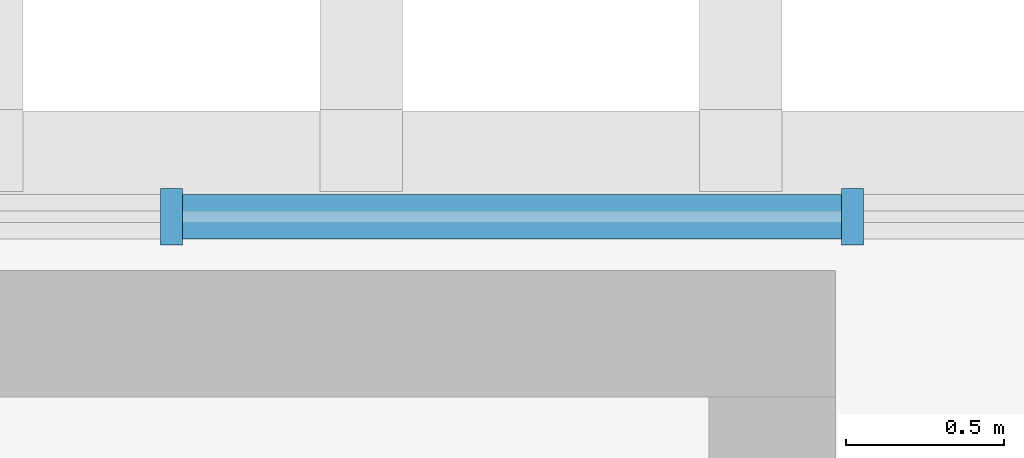
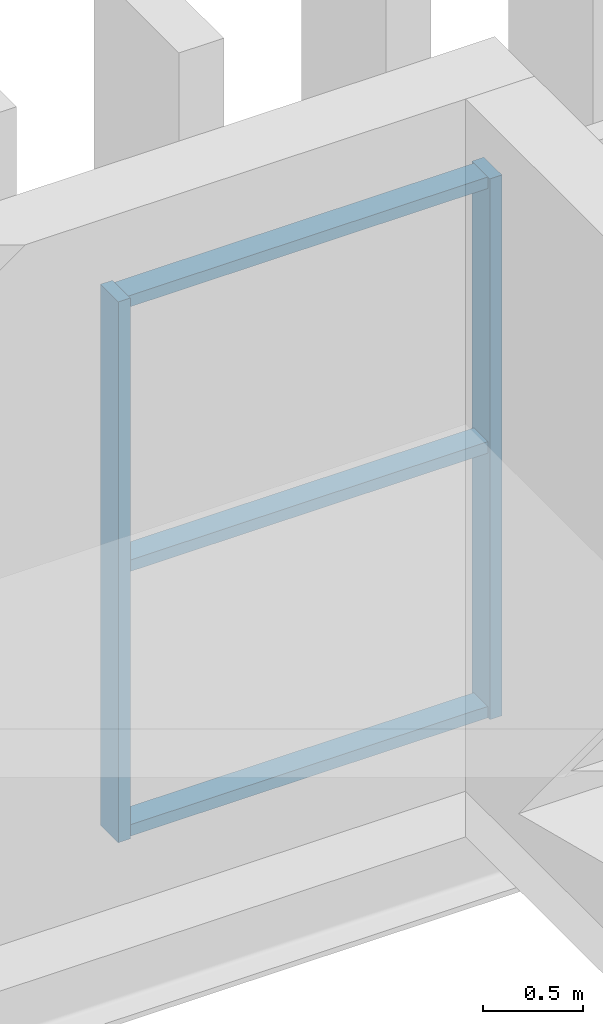
# One storey, part 16 of 75: 5 members, 1 element without a shape of its own.
"""IFC4 building model written with IfcOpenShell, lengths in metres."""

from ifc_helpers import new_model, si_unit, direction, frame, origin, origin_2d, place, context, subcontext, project, spatial, rectangle, extrude, material, layer, layer_set, material_profile, profile_set, type_object, element, aggregate, save


model = new_model("IFC4")

# Units and contexts
model_context = context("Model", 3, precision=1e-05, world=origin(), true_north=direction((0.0, 1.0)))
body_context = subcontext(model_context, "Body", "Model", "MODEL_VIEW")
ifc_project = project(units=[si_unit("LENGTHUNIT", "METRE"), si_unit("AREAUNIT", "SQUARE_METRE"), si_unit("VOLUMEUNIT", "CUBIC_METRE"), si_unit("PLANEANGLEUNIT", "RADIAN"), si_unit("MASSUNIT", "GRAM", prefix="KILO")], contexts=[model_context])

# Site, building, storey
site_placement = place(None, origin())
site = spatial("IfcSite", under=ifc_project, at=site_placement, CompositionType="ELEMENT")
building_placement = place(site_placement, origin())
building = spatial("IfcBuilding", under=site, at=building_placement, Name="Caelomonte Colonnade Arena", CompositionType="ELEMENT")
storey_placement = place(building_placement, frame((0.0, 0.0, 14.10009765625)))
storey = spatial("IfcBuildingStorey", under=building, at=storey_placement, Name="L03", CompositionType="ELEMENT", Elevation=14.10009765625)

# Curtain wall, members
ifc_material_1 = material(Name="Bronze anodised aluminium and low-E glazing", Category="aluminium")
ifc_layer = layer(ifc_material_1, 0.179931640625)
ifc_layer_set = layer_set([ifc_layer], Name="Bronze anodised aluminium and low-E glazing")
curtain_wall_type = type_object("IfcCurtainWallType", Name="ENV-CW-CW-L03-96-33", PredefinedType="USERDEFINED", material=ifc_layer_set)
curtain_wall_placement = place(storey_placement, origin())
curtain_wall = element("IfcCurtainWall", 1, at=curtain_wall_placement, inside=storey, type_object=curtain_wall_type, Name="L03 unitized curtain wall CW-L03-1296-1150", ObjectType="UNITIZED CURTAIN WALL", PredefinedType="USERDEFINED")
ifc_material_2 = material(Name="Bronze anodised aluminium AA6063-T6", Category="aluminium")
ifc_material_profile_1 = material_profile(ifc_material_2, rectangle(XDim=0.070068359375, YDim=0.179931640625, at=origin_2d()), Name="CWM-70X180")
ifc_profile_set_1 = profile_set([ifc_material_profile_1], Name="Bronze anodised aluminium AA6063-T6")
member_type_1 = type_object("IfcMemberType", Name="ENV-CW-MULL1", PredefinedType="MULLION", material=ifc_profile_set_1)
member_1_placement = place(storey_placement, frame((131.753173828125, 115.02001953125, 0.0), z_axis=(0.0, 0.0, 1.0), x_axis=(-1.0, 0.0, 0.0)))
member_1 = element("IfcMember", 2, at=member_1_placement, type_object=member_type_1, Name="CW-L03-96-33 mullion 2", PredefinedType="MULLION", context=body_context, shape_type="SweptSolid", body=[
    extrude(rectangle(XDim=0.070068359375, YDim=0.179931640625, at=origin_2d()), origin(), (0.0, 0.0, 1.0), 3.312744140625),
])
member_2_placement = place(storey_placement, frame((129.60009765625, 115.02001953125, 0.0), z_axis=(0.0, 0.0, 1.0), x_axis=(-1.0, 0.0, 0.0)))
member_2 = element("IfcMember", 3, at=member_2_placement, type_object=member_type_1, Name="CW-L03-96-33 mullion 3", PredefinedType="MULLION", context=body_context, shape_type="SweptSolid", body=[
    extrude(rectangle(XDim=0.070068359375, YDim=0.179931640625, at=origin_2d()), origin(), (0.0, 0.0, 1.0), 3.312744140625),
])
ifc_material_profile_2 = material_profile(ifc_material_2, rectangle(XDim=0.070068359375, YDim=0.139892578125, at=origin_2d()), Name="CWT-70X140")
ifc_profile_set_2 = profile_set([ifc_material_profile_2], Name="Bronze anodised aluminium AA6063-T6")
member_type_2 = type_object("IfcMemberType", Name="ENV-CW-TRAN1", PredefinedType="USERDEFINED", material=ifc_profile_set_2)
member_3_placement = place(storey_placement, frame((131.71826171875, 115.02001953125, 0.034912109375), z_axis=(-1.0, 0.0, 0.0), x_axis=(0.0, 0.0, 1.0)))
member_3 = element("IfcMember", 4, at=member_3_placement, type_object=member_type_2, Name="CW-L03-96-33 transom 2.1", ObjectType="TRANSOM", PredefinedType="USERDEFINED", context=body_context, shape_type="SweptSolid", body=[
    extrude(rectangle(XDim=0.070068359375, YDim=0.139892578125, at=origin_2d()), origin(), (0.0, 0.0, 1.0), 2.083251953125),
])
member_4_placement = place(storey_placement, frame((131.71826171875, 115.02001953125, 1.65625), z_axis=(-1.0, 0.0, 0.0), x_axis=(0.0, 0.0, 1.0)))
member_4 = element("IfcMember", 5, at=member_4_placement, type_object=member_type_2, Name="CW-L03-96-33 transom 2.2", ObjectType="TRANSOM", PredefinedType="USERDEFINED", context=body_context, shape_type="SweptSolid", body=[
    extrude(rectangle(XDim=0.070068359375, YDim=0.139892578125, at=origin_2d()), origin(), (0.0, 0.0, 1.0), 2.083251953125),
])
member_5_placement = place(storey_placement, frame((131.71826171875, 115.02001953125, 3.277587890625), z_axis=(-1.0, 0.0, 0.0), x_axis=(0.0, 0.0, 1.0)))
member_5 = element("IfcMember", 6, at=member_5_placement, type_object=member_type_2, Name="CW-L03-96-33 transom 2.3", ObjectType="TRANSOM", PredefinedType="USERDEFINED", context=body_context, shape_type="SweptSolid", body=[
    extrude(rectangle(XDim=0.070068359375, YDim=0.139892578125, at=origin_2d()), origin(), (0.0, 0.0, 1.0), 2.083251953125),
])
aggregate(curtain_wall, [member_1, member_2, member_3, member_4, member_5])

save(model, "model.ifc")
